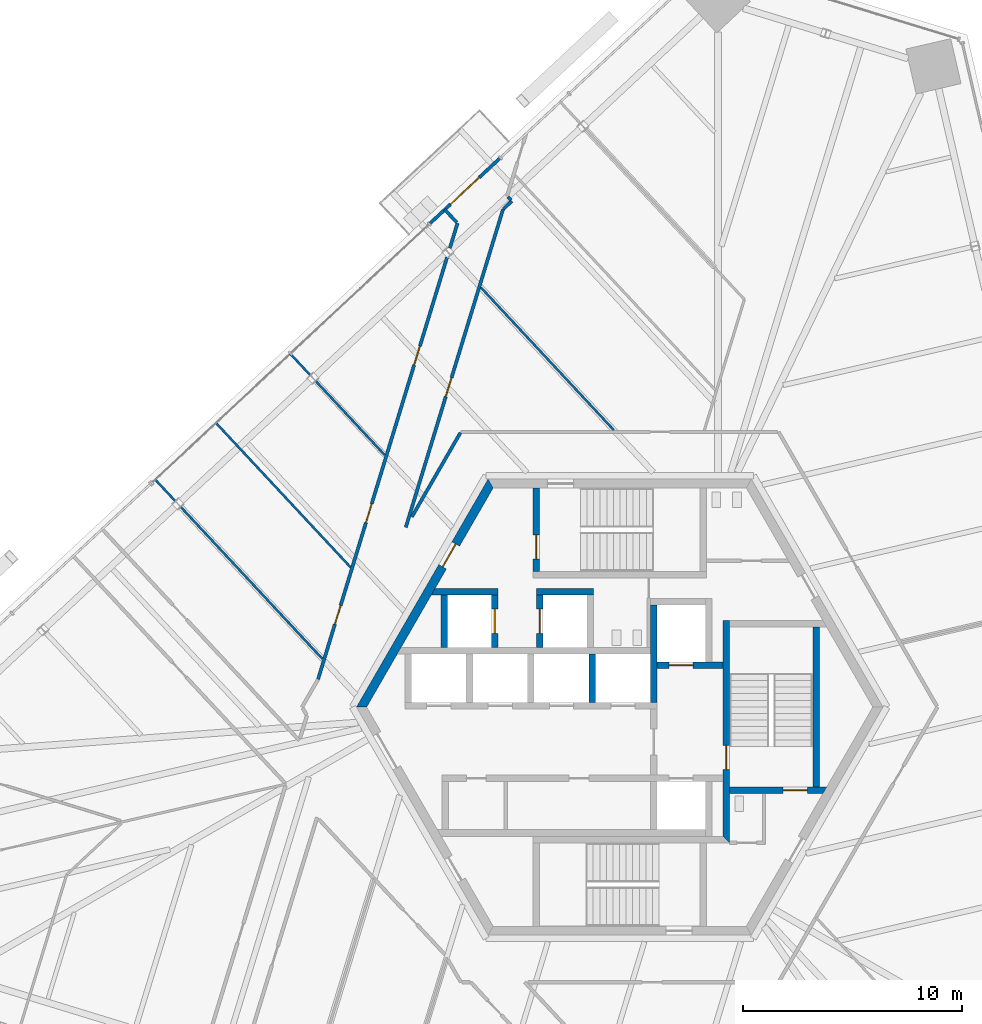
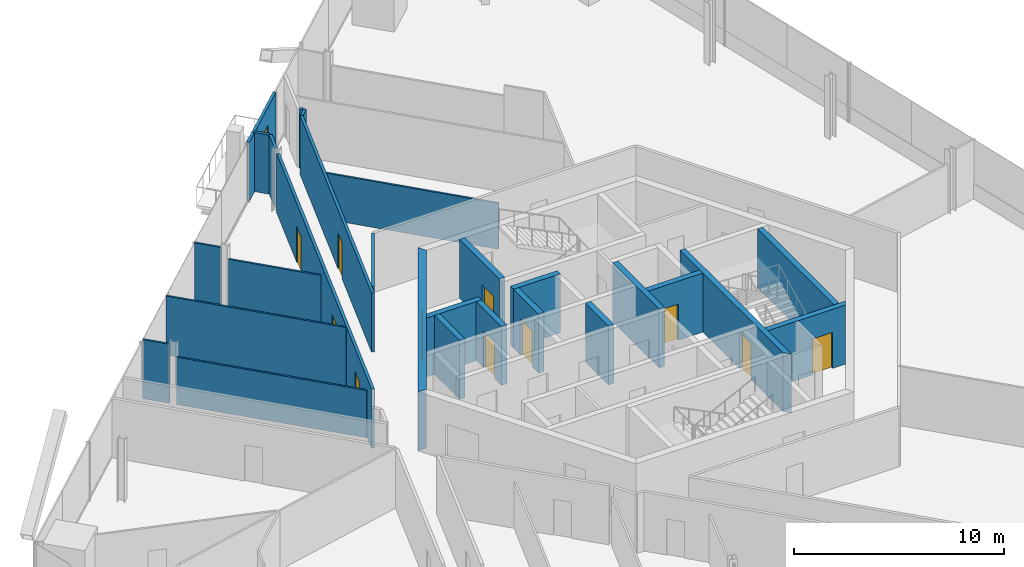
# One storey, part 13 of 18: 27 walls, 12 doors, 12 openings.
"""IFC4 building model written with IfcOpenShell, lengths in metres."""

from ifc_helpers import new_model, si_unit, direction, frame, frame_2d, origin, place, context, subcontext, project, spatial, polyline, rectangle, outline, extrude, source, transform, mapped, material, layer, layer_set, type_object, element, fill, save


model = new_model("IFC4")

# Units and contexts
model_context = context("Model", 3, precision=1e-05, world=origin(), true_north=direction((0.0, 1.0)))
body_context = subcontext(model_context, "Body", "Model", "MODEL_VIEW")
ifc_project = project(units=[si_unit("LENGTHUNIT", "METRE"), si_unit("AREAUNIT", "SQUARE_METRE"), si_unit("VOLUMEUNIT", "CUBIC_METRE"), si_unit("PLANEANGLEUNIT", "RADIAN"), si_unit("MASSUNIT", "GRAM", prefix="KILO")], contexts=[model_context])

# Site, building, storey
site_placement = place(None, origin())
site = spatial("IfcSite", under=ifc_project, at=site_placement, CompositionType="ELEMENT")
building_placement = place(site_placement, origin())
building = spatial("IfcBuilding", under=site, at=building_placement, Name="Triune Harvest Tower", CompositionType="ELEMENT")
storey_placement = place(building_placement, frame((0.0, 0.0, 101.89990234375)))
storey = spatial("IfcBuildingStorey", under=building, at=storey_placement, Name="L25", CompositionType="ELEMENT", Elevation=101.89990234375)

# Walls
ifc_material_1 = material(Name="Gypsum board on steel studs", Category="steel")
ifc_layer_1 = layer(ifc_material_1, 0.14990234375)
ifc_layer_set_1 = layer_set([ifc_layer_1], Name="Gypsum board on steel studs")
wall_type_1 = type_object("IfcWallType", Name="Fire Partition 150 mm", PredefinedType="PARTITIONING", material=ifc_layer_set_1)
wall_1_placement = place(storey_placement, frame((-7.97509765625, 22.677490234375, 0.0), z_axis=(0.0, 0.0, 1.0), x_axis=(0.682078676997, -0.73127879662, 0.0)))
element("IfcWall", 1, at=wall_1_placement, inside=storey, type_object=wall_type_1, Name="Partition L25 018", PredefinedType="PARTITIONING", context=body_context, shape_type="SweptSolid", body=[
    extrude(rectangle(XDim=0.798828125, YDim=0.14990234375, at=frame_2d((0.3994140625, 0.0))), origin(), (0.0, 0.0, 1.0), 3.440185546875),
])
wall_2_placement = place(storey_placement, frame((-5.100341796875, 23.260498046875, 0.0), z_axis=(0.0, 0.0, 1.0), x_axis=(0.682358567835, -0.731017636519, 0.0)))
element("IfcWall", 2, at=wall_2_placement, inside=storey, type_object=wall_type_1, Name="Partition L25 019", PredefinedType="PARTITIONING", context=body_context, shape_type="SweptSolid", body=[
    extrude(rectangle(XDim=0.2158203125, YDim=0.14990234375, at=frame_2d((0.10791015625, 0.0))), origin(), (0.0, 0.0, 1.0), 3.440185546875),
])
wall_3_placement = place(storey_placement, frame((-5.3046875, 22.706298828125, 0.0), z_axis=(0.0, 0.0, 1.0), x_axis=(0.731209146759, 0.682153343242, 0.0)))
element("IfcWall", 3, at=wall_3_placement, inside=storey, type_object=wall_type_1, Name="Partition L25 035", PredefinedType="PARTITIONING", context=body_context, shape_type="SweptSolid", body=[
    extrude(rectangle(XDim=0.527587890625, YDim=0.14990234375, at=frame_2d((0.263671875, 0.0))), origin(), (0.0, 0.0, 1.0), 3.440185546875),
])
wall_4_placement = place(storey_placement, frame((-9.4755859375, 8.6728515625, 0.0), z_axis=(0.0, 0.0, 1.0), x_axis=(0.499981776655, 0.866035924782, 0.0)))
element("IfcWall", 4, at=wall_4_placement, inside=storey, type_object=wall_type_1, Name="Partition L25 038", PredefinedType="PARTITIONING", context=body_context, shape_type="SweptSolid", body=[
    extrude(rectangle(XDim=4.427978515625, YDim=0.14990234375, at=frame_2d((2.2138671875, 0.0))), origin(), (0.0, 0.0, 1.0), 3.440185546875),
])

# Wall, opening, door
wall_5_placement = place(storey_placement, frame((-9.75244140625, 8.193115234375, 0.0), z_axis=(0.0, 0.0, 1.0), x_axis=(0.292376845325, 0.956303184308, 0.0)))
wall_5 = element("IfcWall", 5, at=wall_5_placement, inside=storey, type_object=wall_type_1, Name="Partition L25 046", PredefinedType="PARTITIONING", context=body_context, shape_type="SweptSolid", body=[
    extrude(rectangle(XDim=15.162353515625, YDim=0.14990234375, at=frame_2d((7.5810546875, 0.0))), origin(), (0.0, 0.0, 1.0), 3.440185546875),
])
opening_1_placement = place(wall_5_placement, frame((6.23388671875, 0.0, 0.0)))
opening_1 = element("IfcOpeningElement", 6, at=opening_1_placement, cuts=wall_5, Name="Opening L25-006", PredefinedType="OPENING", context=body_context, shape_type="SweptSolid", body=[
    extrude(rectangle(XDim=0.89990234375, YDim=2.10009765625, at=frame_2d((0.449951171875, 1.050048828125))), frame((0.0, 0.0849609375, 0.0), z_axis=(0.0, -1.0, 0.0), x_axis=(1.0, 0.0, 0.0)), (0.0, 0.0, 1.0), 0.169921875),
])
ifc_material_2 = material(Name="Timber and steel door set", Category="steel")
door_type_1 = type_object("IfcDoorType", Name="Single leaf door FD30 right hand 900 x 2100", OperationType="SINGLE_SWING_RIGHT", PredefinedType="DOOR", material=ifc_material_2)
door_1_placement = place(opening_1_placement, origin())
door_1 = element("IfcDoor", 7, at=door_1_placement, inside=storey, type_object=door_type_1, Name="Door L25-006 Office 25.06", OperationType="SINGLE_SWING_RIGHT", OverallHeight=2.10009765625, OverallWidth=0.89990234375, PredefinedType="DOOR", context=body_context, shape_type="SweptSolid", body=[
    extrude(rectangle(XDim=0.89990234375, YDim=2.10009765625, at=frame_2d((0.449951171875, 1.050048828125))), frame((0.0, 0.02490234375, 0.0), z_axis=(0.0, -1.0, 0.0), x_axis=(1.0, 0.0, 0.0)), (0.0, 0.0, 1.0), 0.050048828125),
])
fill(opening_1, door_1)

# Wall, openings, doors
wall_6_placement = place(storey_placement, frame((-13.75341796875, 1.26318359375, 0.0), z_axis=(0.0, 0.0, 1.0), x_axis=(0.292381622159, 0.956301723842, 0.0)))
wall_6 = element("IfcWall", 8, at=wall_6_placement, inside=storey, type_object=wall_type_1, Name="Partition L25 050", PredefinedType="PARTITIONING", context=body_context, shape_type="SweptSolid", body=[
    extrude(rectangle(XDim=20.11865234375, YDim=0.14990234375, at=frame_2d((10.059326171875, 0.0))), origin(), (0.0, 0.0, 1.0), 3.440185546875),
])
opening_2_placement = place(wall_6_placement, frame((14.98583984375, 0.0, 0.0)))
opening_2 = element("IfcOpeningElement", 9, at=opening_2_placement, cuts=wall_6, Name="Opening L25-005", PredefinedType="OPENING", context=body_context, shape_type="SweptSolid", body=[
    extrude(rectangle(XDim=0.89990234375, YDim=2.10009765625, at=frame_2d((0.449951171875, 1.050048828125))), frame((0.0, 0.0849609375, 0.0), z_axis=(0.0, -1.0, 0.0), x_axis=(1.0, 0.0, 0.0)), (0.0, 0.0, 1.0), 0.169921875),
])
opening_3_placement = place(wall_6_placement, frame((2.6259765625, 0.0, 0.0)))
opening_3 = element("IfcOpeningElement", 10, at=opening_3_placement, cuts=wall_6, Name="Opening L25-007", PredefinedType="OPENING", context=body_context, shape_type="SweptSolid", body=[
    extrude(rectangle(XDim=0.89990234375, YDim=2.10009765625, at=frame_2d((0.449951171875, 1.050048828125))), frame((0.0, 0.0849609375, 0.0), z_axis=(0.0, -1.0, 0.0), x_axis=(1.0, 0.0, 0.0)), (0.0, 0.0, 1.0), 0.169921875),
])
opening_4_placement = place(wall_6_placement, frame((7.469970703125, 0.0, 0.0)))
opening_4 = element("IfcOpeningElement", 11, at=opening_4_placement, cuts=wall_6, Name="Opening L25-008", PredefinedType="OPENING", context=body_context, shape_type="SweptSolid", body=[
    extrude(rectangle(XDim=0.89990234375, YDim=2.10009765625, at=frame_2d((0.449951171875, 1.050048828125))), frame((0.0, 0.0849609375, 0.0), z_axis=(0.0, -1.0, 0.0), x_axis=(1.0, 0.0, 0.0)), (0.0, 0.0, 1.0), 0.169921875),
])
ifc_material_3 = material(Name="Timber and steel door set", Category="steel")
door_type_2 = type_object("IfcDoorType", Name="Single leaf door FD30 left hand 900 x 2100", OperationType="SINGLE_SWING_LEFT", PredefinedType="DOOR", material=ifc_material_3)
door_2_placement = place(opening_3_placement, origin())
door_2 = element("IfcDoor", 12, at=door_2_placement, inside=storey, type_object=door_type_2, Name="Door L25-007 Office 25.07", OperationType="SINGLE_SWING_LEFT", OverallHeight=2.10009765625, OverallWidth=0.89990234375, PredefinedType="DOOR", context=body_context, shape_type="SweptSolid", body=[
    extrude(rectangle(XDim=0.89990234375, YDim=2.10009765625, at=frame_2d((0.449951171875, 1.050048828125))), frame((0.0, 0.02490234375, 0.0), z_axis=(0.0, -1.0, 0.0), x_axis=(1.0, 0.0, 0.0)), (0.0, 0.0, 1.0), 0.050048828125),
])
fill(opening_3, door_2)
door_3_placement = place(opening_4_placement, origin())
door_3 = element("IfcDoor", 13, at=door_3_placement, inside=storey, type_object=door_type_2, Name="Door L25-008 Office 25.08", OperationType="SINGLE_SWING_LEFT", OverallHeight=2.10009765625, OverallWidth=0.89990234375, PredefinedType="DOOR", context=body_context, shape_type="SweptSolid", body=[
    extrude(rectangle(XDim=0.89990234375, YDim=2.10009765625, at=frame_2d((0.449951171875, 1.050048828125))), frame((0.0, 0.02490234375, 0.0), z_axis=(0.0, -1.0, 0.0), x_axis=(1.0, 0.0, 0.0)), (0.0, 0.0, 1.0), 0.050048828125),
])
fill(opening_4, door_3)
door_4_placement = place(opening_2_placement, origin())
door_4 = element("IfcDoor", 14, at=door_4_placement, inside=storey, type_object=door_type_1, Name="Door L25-005 Office 25.05", OperationType="SINGLE_SWING_RIGHT", OverallHeight=2.10009765625, OverallWidth=0.89990234375, PredefinedType="DOOR", context=body_context, shape_type="SweptSolid", body=[
    extrude(rectangle(XDim=0.89990234375, YDim=2.10009765625, at=frame_2d((0.449951171875, 1.050048828125))), frame((0.0, 0.02490234375, 0.0), z_axis=(0.0, -1.0, 0.0), x_axis=(1.0, 0.0, 0.0)), (0.0, 0.0, 1.0), 0.050048828125),
])
fill(opening_2, door_4)

# Walls
wall_7_placement = place(storey_placement, frame((-7.744140625, 20.918212890625, 0.0), z_axis=(0.0, 0.0, 1.0), x_axis=(0.292442565828, 0.956283088678, 0.0)))
element("IfcWall", 15, at=wall_7_placement, inside=storey, type_object=wall_type_1, Name="Partition L25 051", PredefinedType="PARTITIONING", context=body_context, shape_type="SweptSolid", body=[
    extrude(rectangle(XDim=1.1904296875, YDim=0.14990234375, at=frame_2d((0.59521484375, 0.0))), origin(), (0.0, 0.0, 1.0), 3.440185546875),
])
ifc_material_4 = material(Name="Gypsum board on steel studs", Category="steel")
ifc_layer_2 = layer(ifc_material_4, 0.10009765625)
ifc_layer_set_2 = layer_set([ifc_layer_2], Name="Gypsum board on steel studs")
wall_type_2 = type_object("IfcWallType", Name="Partition 100 mm", PredefinedType="PARTITIONING", material=ifc_layer_set_2)
wall_8_placement = place(storey_placement, frame((-18.405029296875, 12.951171875, 0.0), z_axis=(0.0, 0.0, 1.0), x_axis=(0.681997032917, -0.7313549392, 0.0)))
element("IfcWall", 16, at=wall_8_placement, inside=storey, type_object=wall_type_2, Name="Partition L25 012", PredefinedType="PARTITIONING", context=body_context, shape_type="SweptSolid", body=[
    extrude(rectangle(XDim=8.992431640625, YDim=0.10009765625, at=frame_2d((4.49609375, 0.0))), origin(), (0.0, 0.0, 1.0), 3.440185546875),
])

# Wall, opening, door
ifc_material_5 = material(Name="Concrete 70 MPa", Category="concrete")
ifc_layer_3 = layer(ifc_material_5, 0.39990234375)
ifc_layer_set_3 = layer_set([ifc_layer_3], Name="Concrete 70 MPa")
wall_type_3 = type_object("IfcWallType", Name="Core wall 400", PredefinedType="SHEAR", material=ifc_layer_set_3)
shared_shape_1 = source(origin(), body_context, "Body", "SweptSolid", [
    extrude(outline(polyline([(-0.115478515625, -0.199951171875), (11.884521484375, -0.199951171875), (11.653564453125, 0.199951171875), (0.115478515625, 0.199951171875), (-0.115478515625, -0.199951171875)])), origin(), (0.0, 0.0, 1.0), 3.440185546875),
])
wall_9_placement = place(storey_placement, frame((-5.884521484375, 10.1923828125, 0.0), z_axis=(0.0, 0.0, 1.0), x_axis=(-0.499996592174, -0.866027371285, 0.0)))
wall_9 = element("IfcWall", 17, at=wall_9_placement, inside=storey, type_object=wall_type_3, Name="Hexagon 2 wall", PredefinedType="SHEAR", context=body_context, shape_type="MappedRepresentation", body=[
    mapped(shared_shape_1, transform((0.0, 0.0, 0.0), scale=1.0)),
])
opening_5_placement = place(wall_9_placement, frame((3.1845703125, 0.0, 0.0)))
opening_5 = element("IfcOpeningElement", 18, at=opening_5_placement, cuts=wall_9, Name="Opening CD-SVP", PredefinedType="OPENING", context=body_context, shape_type="SweptSolid", body=[
    extrude(rectangle(XDim=1.199951171875, YDim=2.10009765625, at=frame_2d((0.60009765625, 1.050048828125))), frame((0.0, 0.2099609375, 0.0), z_axis=(0.0, -1.0, 0.0), x_axis=(1.0, 0.0, 0.0)), (0.0, 0.0, 1.0), 0.419921875),
])
ifc_material_6 = material(Name="Steel S235", Category="steel")
door_type_3 = type_object("IfcDoorType", Name="Service door 1200 FD120", OperationType="SINGLE_SWING_LEFT", PredefinedType="DOOR", material=ifc_material_6)
door_5_placement = place(opening_5_placement, frame((1.199951171875, 0.0, 0.0), z_axis=(0.0, 0.0, 1.0), x_axis=(-1.0, 0.0, 0.0)))
door_5 = element("IfcDoor", 19, at=door_5_placement, inside=storey, type_object=door_type_3, Name="Door CD-SVP", OperationType="SINGLE_SWING_RIGHT", OverallHeight=2.10009765625, OverallWidth=1.199951171875, PredefinedType="DOOR", context=body_context, shape_type="SweptSolid", body=[
    extrude(rectangle(XDim=1.199951171875, YDim=2.10009765625, at=frame_2d((0.60009765625, 1.050048828125))), frame((0.0, 0.02490234375, 0.0), z_axis=(0.0, -1.0, 0.0), x_axis=(1.0, 0.0, 0.0)), (0.0, 0.0, 1.0), 0.050048828125),
])
fill(opening_5, door_5)

# Wall
ifc_material_7 = material(Name="Concrete 70 MPa", Category="concrete")
ifc_layer_4 = layer(ifc_material_7, 0.300048828125)
ifc_layer_set_4 = layer_set([ifc_layer_4], Name="Concrete 70 MPa")
wall_type_4 = type_object("IfcWallType", Name="Core wall 300", PredefinedType="SHEAR", material=ifc_layer_set_4)
shared_shape_2 = source(origin(), body_context, "Body", "SweptSolid", [
    extrude(rectangle(XDim=4.449951171875, YDim=0.300048828125, at=frame_2d((2.22509765625, 0.0))), origin(), (0.0, 0.0, 1.0), 3.440185546875),
])
wall_10_placement = place(storey_placement, frame((1.550048828125, 0.2099609375, 0.0), z_axis=(0.0, 0.0, 1.0), x_axis=(0.0, 1.0, 0.0)))
element("IfcWall", 20, at=wall_10_placement, inside=storey, type_object=wall_type_4, Name="Ff1 west wall", PredefinedType="SHEAR", context=body_context, shape_type="MappedRepresentation", body=[
    mapped(shared_shape_2, transform((0.0, 0.0, 0.0), scale=1.0)),
])

# Wall, opening, door
shared_shape_3 = source(origin(), body_context, "Body", "SweptSolid", [
    extrude(rectangle(XDim=3.0, YDim=0.300048828125, at=frame_2d((1.5, 0.0))), origin(), (0.0, 0.0, 1.0), 3.440185546875),
])
wall_11_placement = place(storey_placement, frame((1.699951171875, 1.909912109375, 0.0), z_axis=(0.0, 0.0, 1.0), x_axis=(1.0, 0.0, 0.0)))
wall_11 = element("IfcWall", 21, at=wall_11_placement, inside=storey, type_object=wall_type_4, Name="Ff1 front wall", PredefinedType="SHEAR", context=body_context, shape_type="MappedRepresentation", body=[
    mapped(shared_shape_3, transform((0.0, 0.0, 0.0), scale=1.0)),
])
opening_6_placement = place(wall_11_placement, frame((0.550048828125, 0.0, 0.0)))
opening_6 = element("IfcOpeningElement", 22, at=opening_6_placement, cuts=wall_11, Name="Opening LD-FF1-25", PredefinedType="OPENING", context=body_context, shape_type="SweptSolid", body=[
    extrude(rectangle(XDim=1.10009765625, YDim=2.10009765625, at=frame_2d((0.550048828125, 1.050048828125))), frame((0.0, 0.16015625, 0.0), z_axis=(0.0, -1.0, 0.0), x_axis=(1.0, 0.0, 0.0)), (0.0, 0.0, 1.0), 0.320068359375),
])
ifc_material_8 = material(Name="Stainless steel AISI 304", Category="steel")
door_type_4 = type_object("IfcDoorType", Name="Landing door 1100 x 2100", OperationType="DOUBLE_DOOR_SLIDING", PredefinedType="DOOR", material=ifc_material_8)
door_6_placement = place(opening_6_placement, origin())
door_6 = element("IfcDoor", 23, at=door_6_placement, inside=storey, type_object=door_type_4, Name="Door LD-FF1-25", OperationType="DOUBLE_DOOR_SLIDING", OverallHeight=2.10009765625, OverallWidth=1.10009765625, PredefinedType="DOOR", context=body_context, shape_type="SweptSolid", body=[
    extrude(rectangle(XDim=1.10009765625, YDim=2.10009765625, at=frame_2d((0.550048828125, 1.050048828125))), frame((0.0, 0.02490234375, 0.0), z_axis=(0.0, -1.0, 0.0), x_axis=(1.0, 0.0, 0.0)), (0.0, 0.0, 1.0), 0.050048828125),
])
fill(opening_6, door_6)

# Wall
shared_shape_4 = source(origin(), body_context, "Body", "SweptSolid", [
    extrude(rectangle(XDim=2.199951171875, YDim=0.300048828125, at=frame_2d((1.10009765625, 0.0))), origin(), (0.0, 0.0, 1.0), 3.440185546875),
])
wall_12_placement = place(storey_placement, frame((-1.25, 0.2099609375, 0.0), z_axis=(0.0, 0.0, 1.0), x_axis=(0.0, 1.0, 0.0)))
element("IfcWall", 24, at=wall_12_placement, inside=storey, type_object=wall_type_4, Name="North cross 3 wall", PredefinedType="SHEAR", context=body_context, shape_type="MappedRepresentation", body=[
    mapped(shared_shape_4, transform((0.0, 0.0, 0.0), scale=1.0)),
])

# Wall, opening, door
shared_shape_5 = source(origin(), body_context, "Body", "SweptSolid", [
    extrude(outline(polyline([(-0.14990234375, -0.14990234375), (9.989990234375, -0.14990234375), (9.989990234375, 0.14990234375), (0.14990234375, 0.14990234375), (-0.14990234375, -0.14990234375)])), origin(), (0.0, 0.0, 1.0), 3.440185546875),
])
wall_13_placement = place(storey_placement, frame((4.85009765625, -6.0400390625, 0.0), z_axis=(0.0, 0.0, 1.0), x_axis=(0.0, 1.0, 0.0)))
wall_13 = element("IfcWall", 25, at=wall_13_placement, inside=storey, type_object=wall_type_4, Name="Stair e west wall", PredefinedType="SHEAR", context=body_context, shape_type="MappedRepresentation", body=[
    mapped(shared_shape_5, transform((0.0, 0.0, 0.0), scale=1.0)),
])
opening_7_placement = place(wall_13_placement, frame((3.18994140625, 0.0, 0.0)))
opening_7 = element("IfcOpeningElement", 26, at=opening_7_placement, cuts=wall_13, Name="Opening CD-S3L", PredefinedType="OPENING", context=body_context, shape_type="SweptSolid", body=[
    extrude(rectangle(XDim=1.10009765625, YDim=2.10009765625, at=frame_2d((0.550048828125, 1.050048828125))), frame((0.0, 0.16015625, 0.0), z_axis=(0.0, -1.0, 0.0), x_axis=(1.0, 0.0, 0.0)), (0.0, 0.0, 1.0), 0.320068359375),
])
ifc_material_9 = material(Name="Steel S235", Category="steel")
door_type_5 = type_object("IfcDoorType", Name="Stair door 1100 FD120", OperationType="SINGLE_SWING_LEFT", PredefinedType="DOOR", material=ifc_material_9)
door_7_placement = place(opening_7_placement, frame((1.10009765625, 0.0, 0.0), z_axis=(0.0, 0.0, 1.0), x_axis=(-1.0, 0.0, 0.0)))
door_7 = element("IfcDoor", 27, at=door_7_placement, inside=storey, type_object=door_type_5, Name="Door CD-S3L", OperationType="SINGLE_SWING_RIGHT", OverallHeight=2.10009765625, OverallWidth=1.10009765625, PredefinedType="DOOR", context=body_context, shape_type="SweptSolid", body=[
    extrude(rectangle(XDim=1.10009765625, YDim=2.10009765625, at=frame_2d((0.550048828125, 1.050048828125))), frame((0.0, 0.02490234375, 0.0), z_axis=(0.0, -1.0, 0.0), x_axis=(1.0, 0.0, 0.0)), (0.0, 0.0, 1.0), 0.050048828125),
])
fill(opening_7, door_7)

shared_shape_6 = source(origin(), body_context, "Body", "SweptSolid", [
    extrude(outline(polyline([(0.0, -0.14990234375), (0.0, 0.14990234375), (4.43310546875, 0.14990234375), (4.260009765625, -0.14990234375), (0.0, -0.14990234375)])), origin(), (0.0, 0.0, 1.0), 3.440185546875),
])
wall_14_placement = place(storey_placement, frame((5.0, -3.800048828125, 0.0), z_axis=(0.0, 0.0, 1.0), x_axis=(1.0, 0.0, 0.0)))
wall_14 = element("IfcWall", 28, at=wall_14_placement, inside=storey, type_object=wall_type_4, Name="Stair e south wall", PredefinedType="SHEAR", context=body_context, shape_type="MappedRepresentation", body=[
    mapped(shared_shape_6, transform((0.0, 0.0, 0.0), scale=1.0)),
])
opening_8_placement = place(wall_14_placement, frame((2.449951171875, 0.0, 0.0)))
opening_8 = element("IfcOpeningElement", 29, at=opening_8_placement, cuts=wall_14, Name="Opening CD-S3D", PredefinedType="OPENING", context=body_context, shape_type="SweptSolid", body=[
    extrude(rectangle(XDim=1.10009765625, YDim=2.10009765625, at=frame_2d((0.550048828125, 1.050048828125))), frame((0.0, 0.16015625, 0.0), z_axis=(0.0, -1.0, 0.0), x_axis=(1.0, 0.0, 0.0)), (0.0, 0.0, 1.0), 0.320068359375),
])
door_8_placement = place(opening_8_placement, frame((1.10009765625, 0.0, 0.0), z_axis=(0.0, 0.0, 1.0), x_axis=(-1.0, 0.0, 0.0)))
door_8 = element("IfcDoor", 30, at=door_8_placement, inside=storey, type_object=door_type_5, Name="Door CD-S3D", OperationType="SINGLE_SWING_RIGHT", OverallHeight=2.10009765625, OverallWidth=1.10009765625, PredefinedType="DOOR", context=body_context, shape_type="SweptSolid", body=[
    extrude(rectangle(XDim=1.10009765625, YDim=2.10009765625, at=frame_2d((0.550048828125, 1.050048828125))), frame((0.0, 0.02490234375, 0.0), z_axis=(0.0, -1.0, 0.0), x_axis=(1.0, 0.0, 0.0)), (0.0, 0.0, 1.0), 0.050048828125),
])
fill(opening_8, door_8)

# Wall
shared_shape_7 = source(origin(), body_context, "Body", "SweptSolid", [
    extrude(rectangle(XDim=7.2998046875, YDim=0.300048828125, at=frame_2d((3.64990234375, 0.0))), origin(), (0.0, 0.0, 1.0), 3.440185546875),
])
wall_15_placement = place(storey_placement, frame((8.949951171875, -3.64990234375, 0.0), z_axis=(0.0, 0.0, 1.0), x_axis=(0.0, 1.0, 0.0)))
element("IfcWall", 31, at=wall_15_placement, inside=storey, type_object=wall_type_4, Name="Stair e east wall", PredefinedType="SHEAR", context=body_context, shape_type="MappedRepresentation", body=[
    mapped(shared_shape_7, transform((0.0, 0.0, 0.0), scale=1.0)),
])

# Wall, opening, door
shared_shape_8 = source(origin(), body_context, "Body", "SweptSolid", [
    extrude(outline(polyline([(0.0, -0.14990234375), (0.0, 0.14990234375), (3.80419921875, 0.14990234375), (3.80419921875, -0.14990234375), (0.0, -0.14990234375)])), origin(), (0.0, 0.0, 1.0), 3.440185546875),
])
wall_16_placement = place(storey_placement, frame((-3.800048828125, 6.18994140625, 0.0), z_axis=(0.0, 0.0, 1.0), x_axis=(0.0, 1.0, 0.0)))
wall_16 = element("IfcWall", 32, at=wall_16_placement, inside=storey, type_object=wall_type_4, Name="Stair n west wall", PredefinedType="SHEAR", context=body_context, shape_type="MappedRepresentation", body=[
    mapped(shared_shape_8, transform((0.0, 0.0, 0.0), scale=1.0)),
])
opening_9_placement = place(wall_16_placement, frame((0.56005859375, 0.0, 0.0)))
opening_9 = element("IfcOpeningElement", 33, at=opening_9_placement, cuts=wall_16, Name="Opening CD-S1L", PredefinedType="OPENING", context=body_context, shape_type="SweptSolid", body=[
    extrude(rectangle(XDim=1.10009765625, YDim=2.10009765625, at=frame_2d((0.550048828125, 1.050048828125))), frame((0.0, 0.16015625, 0.0), z_axis=(0.0, -1.0, 0.0), x_axis=(1.0, 0.0, 0.0)), (0.0, 0.0, 1.0), 0.320068359375),
])
door_9_placement = place(opening_9_placement, frame((1.10009765625, 0.0, 0.0), z_axis=(0.0, 0.0, 1.0), x_axis=(-1.0, 0.0, 0.0)))
door_9 = element("IfcDoor", 34, at=door_9_placement, inside=storey, type_object=door_type_5, Name="Door CD-S1L", OperationType="SINGLE_SWING_RIGHT", OverallHeight=2.10009765625, OverallWidth=1.10009765625, PredefinedType="DOOR", context=body_context, shape_type="SweptSolid", body=[
    extrude(rectangle(XDim=1.10009765625, YDim=2.10009765625, at=frame_2d((0.550048828125, 1.050048828125))), frame((0.0, 0.02490234375, 0.0), z_axis=(0.0, -1.0, 0.0), x_axis=(1.0, 0.0, 0.0)), (0.0, 0.0, 1.0), 0.050048828125),
])
fill(opening_9, door_9)

# Walls
shared_shape_9 = source(origin(), body_context, "Body", "SweptSolid", [
    extrude(outline(polyline([(2.60009765625, -0.14990234375), (-0.440185546875, -0.14990234375), (-0.26708984375, 0.14990234375), (2.60009765625, 0.14990234375), (2.60009765625, -0.14990234375)])), origin(), (0.0, 0.0, 1.0), 3.440185546875),
])
wall_17_placement = place(storey_placement, frame((-8.14990234375, 5.260009765625, 0.0), z_axis=(0.0, 0.0, 1.0), x_axis=(1.0, 0.0, 0.0)))
element("IfcWall", 35, at=wall_17_placement, inside=storey, type_object=wall_type_4, Name="Sv1 north wall", PredefinedType="SHEAR", context=body_context, shape_type="MappedRepresentation", body=[
    mapped(shared_shape_9, transform((0.0, 0.0, 0.0), scale=1.0)),
])
shared_shape_10 = source(origin(), body_context, "Body", "SweptSolid", [
    extrude(rectangle(XDim=2.400146484375, YDim=0.300048828125, at=frame_2d((1.2001953125, 0.0))), origin(), (0.0, 0.0, 1.0), 3.440185546875),
])
wall_18_placement = place(storey_placement, frame((-8.0, 2.7099609375, 0.0), z_axis=(0.0, 0.0, 1.0), x_axis=(0.0, 1.0, 0.0)))
element("IfcWall", 36, at=wall_18_placement, inside=storey, type_object=wall_type_4, Name="Sv1 west wall", PredefinedType="SHEAR", context=body_context, shape_type="MappedRepresentation", body=[
    mapped(shared_shape_10, transform((0.0, 0.0, 0.0), scale=1.0)),
])

# Wall, opening, door
wall_19_placement = place(storey_placement, frame((-5.699951171875, 2.7099609375, 0.0), z_axis=(0.0, 0.0, 1.0), x_axis=(0.0, 1.0, 0.0)))
wall_19 = element("IfcWall", 37, at=wall_19_placement, inside=storey, type_object=wall_type_4, Name="Sv1 east wall", PredefinedType="SHEAR", context=body_context, shape_type="MappedRepresentation", body=[
    mapped(shared_shape_10, transform((0.0, 0.0, 0.0), scale=1.0)),
])
opening_10_placement = place(wall_19_placement, frame((0.64990234375, 0.0, 0.0)))
opening_10 = element("IfcOpeningElement", 38, at=opening_10_placement, cuts=wall_19, Name="Opening LD-SV1-25", PredefinedType="OPENING", context=body_context, shape_type="SweptSolid", body=[
    extrude(rectangle(XDim=1.10009765625, YDim=2.10009765625, at=frame_2d((0.550048828125, 1.050048828125))), frame((0.0, 0.16015625, 0.0), z_axis=(0.0, -1.0, 0.0), x_axis=(1.0, 0.0, 0.0)), (0.0, 0.0, 1.0), 0.320068359375),
])
door_10_placement = place(opening_10_placement, origin())
door_10 = element("IfcDoor", 39, at=door_10_placement, inside=storey, type_object=door_type_4, Name="Door LD-SV1-25", OperationType="DOUBLE_DOOR_SLIDING", OverallHeight=2.10009765625, OverallWidth=1.10009765625, PredefinedType="DOOR", context=body_context, shape_type="SweptSolid", body=[
    extrude(rectangle(XDim=1.10009765625, YDim=2.10009765625, at=frame_2d((0.550048828125, 1.050048828125))), frame((0.0, 0.02490234375, 0.0), z_axis=(0.0, -1.0, 0.0), x_axis=(1.0, 0.0, 0.0)), (0.0, 0.0, 1.0), 0.050048828125),
])
fill(opening_10, door_10)

wall_20_placement = place(storey_placement, frame((-3.64990234375, 2.7099609375, 0.0), z_axis=(0.0, 0.0, 1.0), x_axis=(0.0, 1.0, 0.0)))
wall_20 = element("IfcWall", 40, at=wall_20_placement, inside=storey, type_object=wall_type_4, Name="Sv2 west wall", PredefinedType="SHEAR", context=body_context, shape_type="MappedRepresentation", body=[
    mapped(shared_shape_10, transform((0.0, 0.0, 0.0), scale=1.0)),
])
opening_11_placement = place(wall_20_placement, frame((0.64990234375, 0.0, 0.0)))
opening_11 = element("IfcOpeningElement", 41, at=opening_11_placement, cuts=wall_20, Name="Opening LD-SV2-25", PredefinedType="OPENING", context=body_context, shape_type="SweptSolid", body=[
    extrude(rectangle(XDim=1.10009765625, YDim=2.10009765625, at=frame_2d((0.550048828125, 1.050048828125))), frame((0.0, 0.16015625, 0.0), z_axis=(0.0, -1.0, 0.0), x_axis=(1.0, 0.0, 0.0)), (0.0, 0.0, 1.0), 0.320068359375),
])
door_11_placement = place(opening_11_placement, origin())
door_11 = element("IfcDoor", 42, at=door_11_placement, inside=storey, type_object=door_type_4, Name="Door LD-SV2-25", OperationType="DOUBLE_DOOR_SLIDING", OverallHeight=2.10009765625, OverallWidth=1.10009765625, PredefinedType="DOOR", context=body_context, shape_type="SweptSolid", body=[
    extrude(rectangle(XDim=1.10009765625, YDim=2.10009765625, at=frame_2d((0.550048828125, 1.050048828125))), frame((0.0, 0.02490234375, 0.0), z_axis=(0.0, -1.0, 0.0), x_axis=(1.0, 0.0, 0.0)), (0.0, 0.0, 1.0), 0.050048828125),
])
fill(opening_11, door_11)

# Wall
shared_shape_11 = source(origin(), body_context, "Body", "SweptSolid", [
    extrude(rectangle(XDim=2.60009765625, YDim=0.300048828125, at=frame_2d((1.300048828125, 0.0))), origin(), (0.0, 0.0, 1.0), 3.440185546875),
])
wall_21_placement = place(storey_placement, frame((-3.800048828125, 5.260009765625, 0.0), z_axis=(0.0, 0.0, 1.0), x_axis=(1.0, 0.0, 0.0)))
element("IfcWall", 43, at=wall_21_placement, inside=storey, type_object=wall_type_4, Name="Sv2 north wall", PredefinedType="SHEAR", context=body_context, shape_type="MappedRepresentation", body=[
    mapped(shared_shape_11, transform((0.0, 0.0, 0.0), scale=1.0)),
])

# Wall, opening, door
ifc_material_10 = material(Name="Aluminium bronze anodised", Category="aluminium")
ifc_layer_5 = layer(ifc_material_10, 0.14990234375)
ifc_layer_set_5 = layer_set([ifc_layer_5], Name="Aluminium bronze anodised")
wall_type_5 = type_object("IfcWallType", Name="WW-2 balcony window wall", PredefinedType="ELEMENTEDWALL", material=ifc_layer_set_5)
shared_shape_12 = source(origin(), body_context, "Body", "SweptSolid", [
    extrude(rectangle(XDim=4.353271484375, YDim=0.14990234375, at=frame_2d((2.1767578125, 0.0))), origin(), (0.0, 0.0, 1.0), 3.440185546875),
])
wall_22_placement = place(storey_placement, frame((-8.65283203125, 22.04541015625, 0.0), z_axis=(0.0, 0.0, 1.0), x_axis=(0.731351722258, 0.682000482661, 0.0)))
wall_22 = element("IfcWall", 44, at=wall_22_placement, inside=storey, type_object=wall_type_5, Name="WW-2 B3-F3 L25.4", PredefinedType="ELEMENTEDWALL", context=body_context, shape_type="MappedRepresentation", body=[
    mapped(shared_shape_12, transform((0.0, 0.0, 0.0), scale=1.0)),
])
opening_12_placement = place(wall_22_placement, frame((1.276611328125, 0.0, 0.0)))
opening_12 = element("IfcOpeningElement", 45, at=opening_12_placement, cuts=wall_22, Name="Opening L25-E01", PredefinedType="OPENING", context=body_context, shape_type="SweptSolid", body=[
    extrude(rectangle(XDim=1.800048828125, YDim=2.39990234375, at=frame_2d((0.89990234375, 1.199951171875))), frame((0.0, 0.0849609375, 0.0), z_axis=(0.0, -1.0, 0.0), x_axis=(1.0, 0.0, 0.0)), (0.0, 0.0, 1.0), 0.169921875),
])
ifc_material_11 = material(Name="Glass", Category="glass")
door_type_6 = type_object("IfcDoorType", Name="DB-1 balcony door 1800 x 2400", OperationType="DOUBLE_DOOR_SINGLE_SWING", PredefinedType="DOOR", material=ifc_material_11)
door_12_placement = place(opening_12_placement, origin())
door_12 = element("IfcDoor", 46, at=door_12_placement, inside=storey, type_object=door_type_6, Name="Door L25-E01", OperationType="DOUBLE_DOOR_SINGLE_SWING", OverallHeight=2.39990234375, OverallWidth=1.800048828125, PredefinedType="DOOR", context=body_context, shape_type="SweptSolid", body=[
    extrude(rectangle(XDim=1.800048828125, YDim=2.39990234375, at=frame_2d((0.89990234375, 1.199951171875))), frame((0.0, 0.02490234375, 0.0), z_axis=(0.0, -1.0, 0.0), x_axis=(1.0, 0.0, 0.0)), (0.0, 0.0, 1.0), 0.050048828125),
])
fill(opening_12, door_12)

# Walls
shared_shape_13 = source(origin(), body_context, "Body", "SweptSolid", [
    extrude(rectangle(XDim=9.479736328125, YDim=0.10009765625, at=frame_2d((4.73974609375, 0.0))), origin(), (0.0, 0.0, 1.0), 2.7568359375),
])
wall_23_placement = place(storey_placement, frame((-20.015625, 9.126220703125, 0.0), z_axis=(0.0, 0.0, 1.0), x_axis=(0.681990598836, -0.731360939003, 0.0)))
element("IfcWall", 47, at=wall_23_placement, inside=storey, type_object=wall_type_2, Name="Partition L25 011", PredefinedType="PARTITIONING", context=body_context, shape_type="MappedRepresentation", body=[
    mapped(shared_shape_13, transform((0.0, 0.0, 0.0), scale=1.0)),
])
shared_shape_14 = source(origin(), body_context, "Body", "SweptSolid", [
    extrude(rectangle(XDim=1.338134765625, YDim=0.10009765625, at=frame_2d((0.6689453125, 0.0))), origin(), (0.0, 0.0, 1.0), 3.440185546875),
])
for number, where, z_axis, x_axis, name in (
    (48, (-21.17431640625, 10.368896484375, 0.0), (0.0, 0.0, 1.0), (0.681954155979, -0.731394920096, 0.0), "Partition L25 010"),
    (49, (-15.0205078125, 16.107421875, 0.0), (0.0, 0.0, 1.0), (0.68204515899, -0.731310058114, 0.0), "Partition L25 013"),
):
    element("IfcWall", number, at=place(storey_placement, frame(where, z_axis=z_axis, x_axis=x_axis)), inside=storey, type_object=wall_type_2, Name=name, PredefinedType="PARTITIONING", context=body_context, shape_type="MappedRepresentation", body=[
        mapped(shared_shape_14, transform((0.0, 0.0, 0.0), scale=1.0)),
    ])
shared_shape_15 = source(origin(), body_context, "Body", "SweptSolid", [
    extrude(rectangle(XDim=4.621337890625, YDim=0.10009765625, at=frame_2d((2.310546875, 0.0))), origin(), (0.0, 0.0, 1.0), 2.827880859375),
])
wall_24_placement = place(storey_placement, frame((-13.861572265625, 14.86474609375, 0.0), z_axis=(0.0, 0.0, 1.0), x_axis=(0.682005739114, -0.731346820472, 0.0)))
element("IfcWall", 50, at=wall_24_placement, inside=storey, type_object=wall_type_2, Name="Partition L25 014", PredefinedType="PARTITIONING", context=body_context, shape_type="MappedRepresentation", body=[
    mapped(shared_shape_15, transform((0.0, 0.0, 0.0), scale=1.0)),
])
shared_shape_16 = source(origin(), body_context, "Body", "SweptSolid", [
    extrude(rectangle(XDim=8.8798828125, YDim=0.10009765625, at=frame_2d((4.43994140625, 0.0))), origin(), (0.0, 0.0, 1.0), 2.68310546875),
])
wall_25_placement = place(storey_placement, frame((-6.32861328125, 19.12451171875, 0.0), z_axis=(0.0, 0.0, 1.0), x_axis=(0.682000804038, -0.731351422568, 0.0)))
element("IfcWall", 51, at=wall_25_placement, inside=storey, type_object=wall_type_2, Name="Partition L25 017", PredefinedType="PARTITIONING", context=body_context, shape_type="MappedRepresentation", body=[
    mapped(shared_shape_16, transform((0.0, 0.0, 0.0), scale=1.0)),
])

save(model, "model.ifc")
